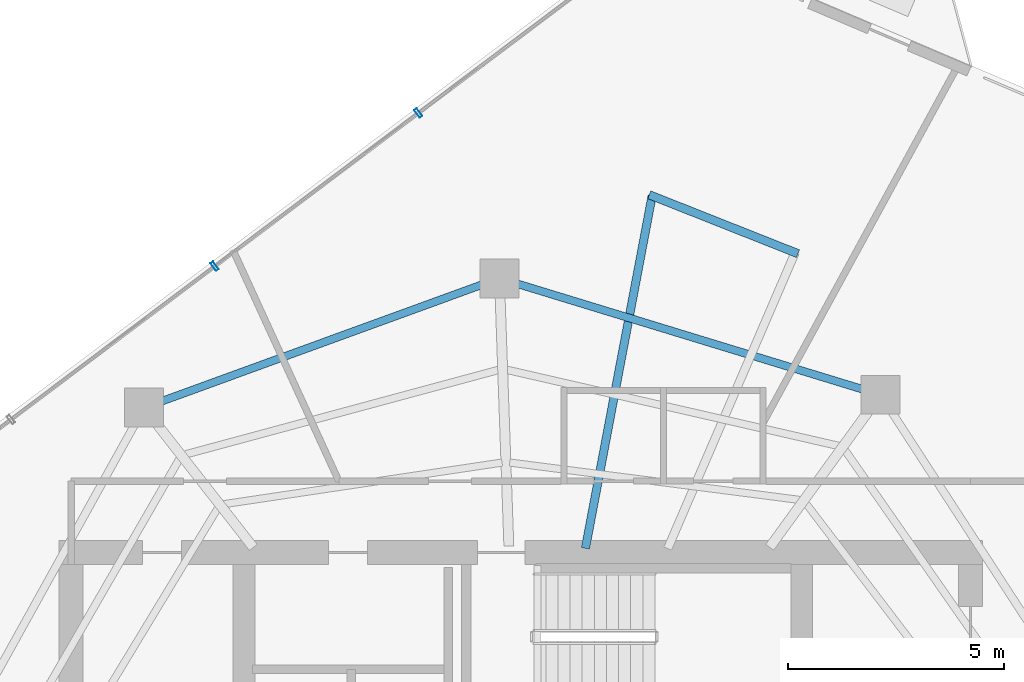
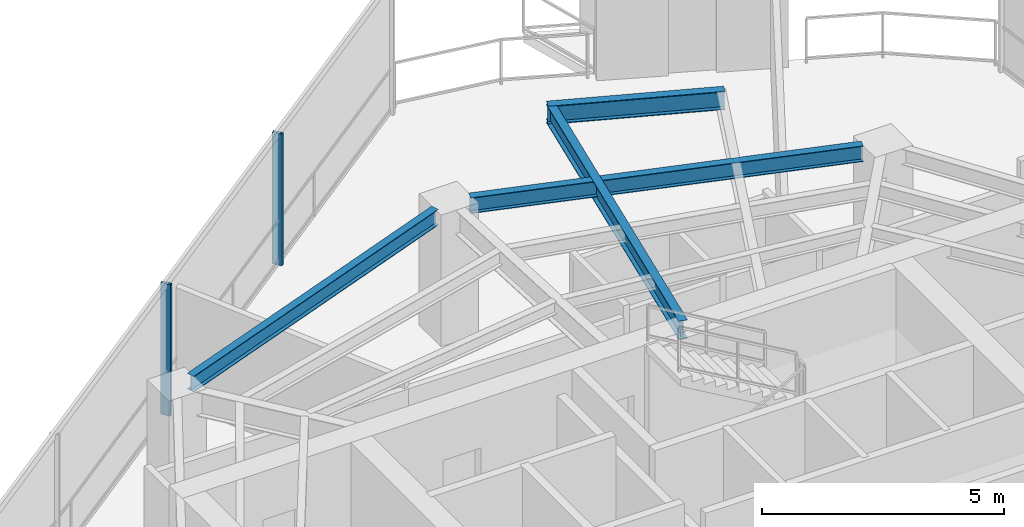
# One storey, part 11 of 18: 4 beams, 2 members, 1 element without a shape of its own.
"""IFC4 building model written with IfcOpenShell, lengths in metres."""

from ifc_helpers import new_model, si_unit, direction, frame, origin, origin_2d, place, context, subcontext, project, spatial, hollow_rectangle, i_section, extrude, material, layer, layer_set, material_profile, profile_set, type_object, element, aggregate, save


model = new_model("IFC4")

# Units and contexts
model_context = context("Model", 3, precision=1e-05, world=origin(), true_north=direction((0.0, 1.0)))
body_context = subcontext(model_context, "Body", "Model", "MODEL_VIEW")
ifc_project = project(units=[si_unit("LENGTHUNIT", "METRE"), si_unit("AREAUNIT", "SQUARE_METRE"), si_unit("VOLUMEUNIT", "CUBIC_METRE"), si_unit("PLANEANGLEUNIT", "RADIAN"), si_unit("MASSUNIT", "GRAM", prefix="KILO")], contexts=[model_context])

# Site, building, storey
site_placement = place(None, origin())
site = spatial("IfcSite", under=ifc_project, at=site_placement, CompositionType="ELEMENT")
building_placement = place(site_placement, origin())
building = spatial("IfcBuilding", under=site, at=building_placement, Name="Qarnah Convention Tower", CompositionType="ELEMENT")
storey_placement = place(building_placement, frame((0.0, 0.0, 205.800048828125)))
storey = spatial("IfcBuildingStorey", under=building, at=storey_placement, Name="L55", CompositionType="ELEMENT", Elevation=205.800048828125)

# Beams
ifc_material_1 = material(Name="Structural steel S355JR", Category="steel")
ifc_material_profile_1 = material_profile(ifc_material_1, i_section(OverallWidth=0.19189453125, OverallDepth=0.464111328125, WebThickness=0.010986328125, FlangeThickness=0.01806640625, at=origin_2d()), Name="W460X89")
ifc_profile_set_1 = profile_set([ifc_material_profile_1], Name="Structural steel S355JR")
beam_type_1 = type_object("IfcBeamType", Name="BM-CANT-W460A", PredefinedType="BEAM", material=ifc_profile_set_1)
beam_1_placement = place(storey_placement, frame((38.694091796875, 34.298095703125, 3.087890625), z_axis=(0.185927001241, 0.982563560392, 0.0), x_axis=(-0.982563560392, 0.185927001241, 0.0)))
element("IfcBeam", 1, at=beam_1_placement, inside=storey, type_object=beam_type_1, Name="L55 beam BM-L55-CNT-01-2", PredefinedType="BEAM", context=body_context, shape_type="SweptSolid", body=[
    extrude(i_section(OverallWidth=0.19189453125, OverallDepth=0.464111328125, WebThickness=0.010986328125, FlangeThickness=0.01806640625, at=origin_2d()), origin(), (0.0, 0.0, 1.0), 8.29345703125),
])
beam_2_placement = place(storey_placement, frame((43.60791015625, 41.111083984375, 3.087890625), z_axis=(-0.929683207284, 0.368360060394, 0.0), x_axis=(-0.368360060394, -0.929683207284, 0.0)))
element("IfcBeam", 2, at=beam_2_placement, inside=storey, type_object=beam_type_1, Name="L55 spandrel BM-L55-CTIE-01", PredefinedType="SPANDREL", context=body_context, shape_type="SweptSolid", body=[
    extrude(i_section(OverallWidth=0.19189453125, OverallDepth=0.464111328125, WebThickness=0.010986328125, FlangeThickness=0.01806640625, at=origin_2d()), origin(), (0.0, 0.0, 1.0), 3.697021484375),
])
ifc_material_profile_2 = material_profile(ifc_material_1, i_section(OverallWidth=0.179931640625, OverallDepth=0.39990234375, WebThickness=0.009033203125, FlangeThickness=0.013916015625, at=origin_2d()), Name="IPE400")
ifc_profile_set_2 = profile_set([ifc_material_profile_2], Name="Structural steel S355JR")
beam_type_2 = type_object("IfcBeamType", Name="BM-SPN-IPE400", PredefinedType="SPANDREL", material=ifc_profile_set_2)
beam_3_placement = place(storey_placement, frame((45.095947265625, 37.97705078125, 3.119873046875), z_axis=(-0.956348614223, 0.292228212318, 0.0), x_axis=(-0.292228212318, -0.956348614223, 0.0)))
element("IfcBeam", 3, at=beam_3_placement, inside=storey, type_object=beam_type_2, Name="L55 spandrel BM-L55-SPN-02", PredefinedType="SPANDREL", context=body_context, shape_type="SweptSolid", body=[
    extrude(i_section(OverallWidth=0.179931640625, OverallDepth=0.39990234375, WebThickness=0.009033203125, FlangeThickness=0.013916015625, at=origin_2d()), origin(), (0.0, 0.0, 1.0), 8.332763671875),
])
beam_4_placement = place(storey_placement, frame((36.29296875, 40.39111328125, 3.119873046875), z_axis=(-0.939665594936, -0.342094387112, 0.0), x_axis=(0.342094387112, -0.939665594936, 0.0)))
element("IfcBeam", 4, at=beam_4_placement, inside=storey, type_object=beam_type_2, Name="L55 spandrel BM-L55-SPN-03", PredefinedType="SPANDREL", context=body_context, shape_type="SweptSolid", body=[
    extrude(i_section(OverallWidth=0.179931640625, OverallDepth=0.39990234375, WebThickness=0.009033203125, FlangeThickness=0.013916015625, at=origin_2d()), origin(), (0.0, 0.0, 1.0), 7.86669921875),
])

# Curtain wall, members
ifc_material_2 = material(Name="Tempered Low-E dark glass", Category="glass")
ifc_layer = layer(ifc_material_2, 0.174072265625)
ifc_layer_set = layer_set([ifc_layer], Name="Tempered Low-E dark glass")
curtain_wall_type = type_object("IfcCurtainWallType", Name="CWS-04", PredefinedType="NOTDEFINED", material=ifc_layer_set)
curtain_wall_placement = place(storey_placement, origin())
curtain_wall = element("IfcCurtainWall", 5, at=curtain_wall_placement, inside=storey, type_object=curtain_wall_type, Name="L55 unitised curtain wall CW-L55-F2", PredefinedType="NOTDEFINED")
ifc_material_3 = material(Name="Black anodised aluminium", Category="aluminium")
ifc_material_profile_3 = material_profile(ifc_material_3, hollow_rectangle(XDim=0.074951171875, YDim=0.219970703125, WallThickness=0.0048828125, at=origin_2d()), Name="MUL-75X220")
ifc_profile_set_3 = profile_set([ifc_material_profile_3], Name="Black anodised aluminium")
member_type = type_object("IfcMemberType", Name="MUL-T4", PredefinedType="MULLION", material=ifc_profile_set_3)
member_1_placement = place(storey_placement, frame((30.1201171875, 40.82080078125, 0.0), z_axis=(0.0, 0.0, 1.0), x_axis=(0.799033812061, 0.601286094287, 0.0)))
member_1 = element("IfcMember", 6, at=member_1_placement, type_object=member_type, Name="CW-L55-F2 mullion 4", PredefinedType="MULLION", context=body_context, shape_type="SweptSolid", body=[
    extrude(hollow_rectangle(XDim=0.074951171875, YDim=0.219970703125, WallThickness=0.0048828125, at=origin_2d()), origin(), (0.0, 0.0, 1.0), 3.320068359375),
])
member_2_placement = place(storey_placement, frame((34.8291015625, 44.364501953125, 0.0), z_axis=(0.0, 0.0, 1.0), x_axis=(0.799033812061, 0.601286094287, 0.0)))
member_2 = element("IfcMember", 7, at=member_2_placement, type_object=member_type, Name="CW-L55-F2 mullion 5", PredefinedType="MULLION", context=body_context, shape_type="SweptSolid", body=[
    extrude(hollow_rectangle(XDim=0.074951171875, YDim=0.219970703125, WallThickness=0.0048828125, at=origin_2d()), origin(), (0.0, 0.0, 1.0), 3.320068359375),
])
aggregate(curtain_wall, [member_1, member_2])

save(model, "model.ifc")
